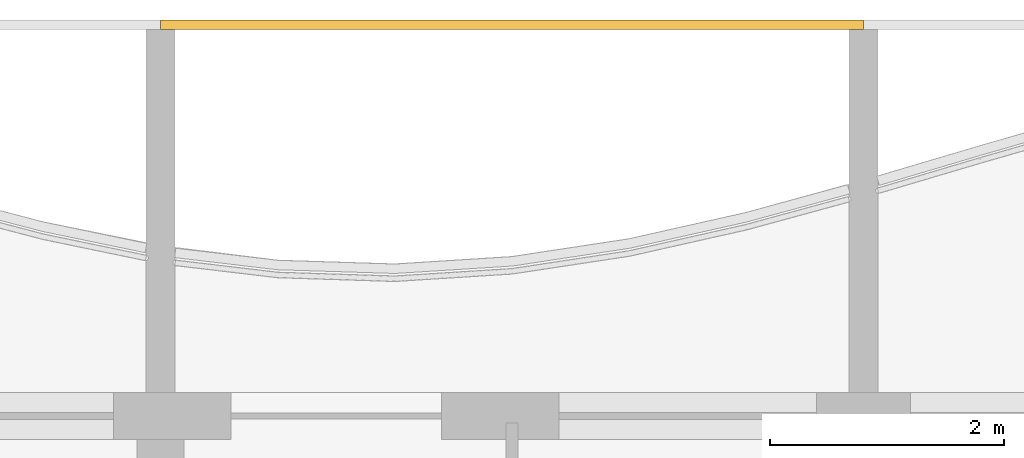
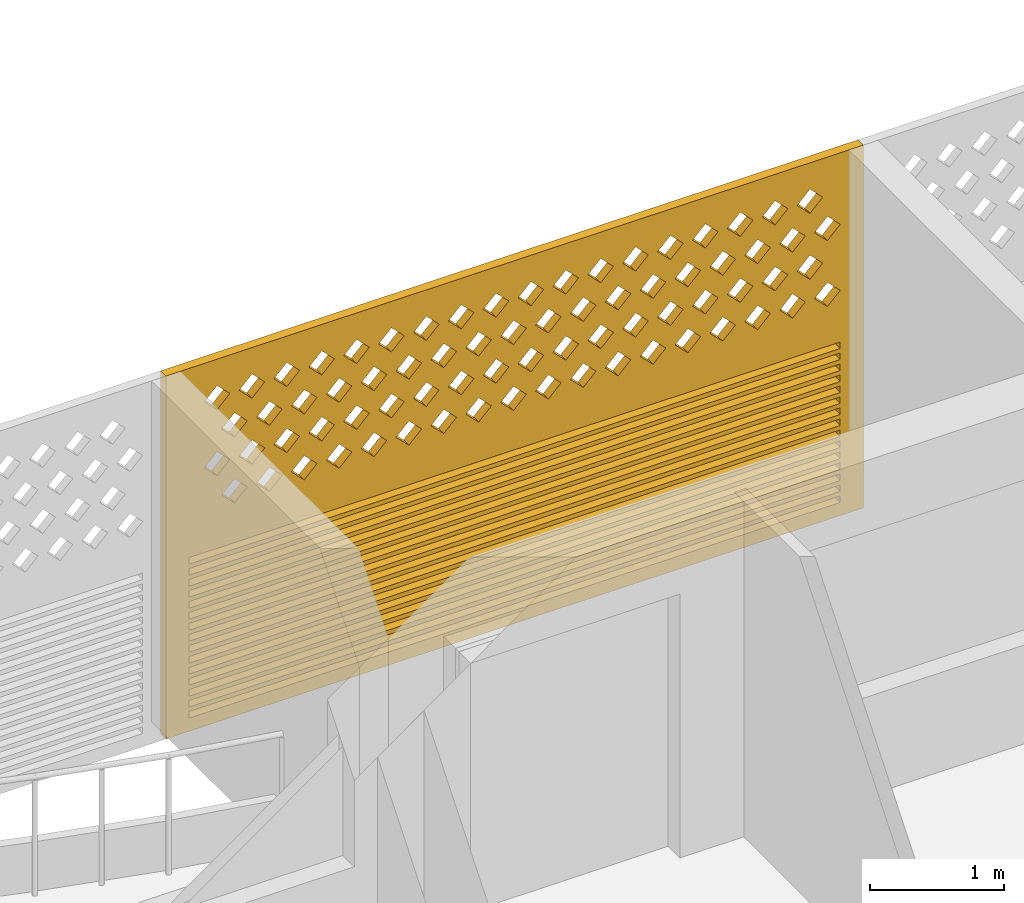
# One storey, part 33 of 44: 1 covering.
"""IFC4 building model written with IfcOpenShell, lengths in metres."""

from ifc_helpers import new_model, si_unit, direction, frame, origin, place, context, subcontext, project, spatial, polyline, outline, extrude, source, transform, mapped, material, material_profile, profile_set, type_object, element, save


model = new_model("IFC4")

# Units and contexts
model_context = context("Model", 3, precision=1e-05, world=origin(), true_north=direction((0.0, 1.0)))
body_context = subcontext(model_context, "Body", "Model", "MODEL_VIEW")
ifc_project = project(units=[si_unit("LENGTHUNIT", "METRE"), si_unit("AREAUNIT", "SQUARE_METRE"), si_unit("VOLUMEUNIT", "CUBIC_METRE"), si_unit("PLANEANGLEUNIT", "RADIAN"), si_unit("MASSUNIT", "GRAM", prefix="KILO")], contexts=[model_context])

# Site, building, storey
site_placement = place(None, origin())
site = spatial("IfcSite", under=ifc_project, at=site_placement, CompositionType="ELEMENT")
building_placement = place(site_placement, origin())
building = spatial("IfcBuilding", under=site, at=building_placement, Name="Poui Terraces", CompositionType="ELEMENT")
storey_placement = place(building_placement, frame((0.0, 0.0, 26.699951171875)))
storey = spatial("IfcBuildingStorey", under=building, at=storey_placement, Name="L06", CompositionType="ELEMENT", Elevation=26.699951171875)

# Covering
ifc_material = material(Name="Terracotta screen", Category="masonry")
ifc_material_profile = material_profile(ifc_material, outline(polyline([(-3.0, -1.64990234375), (3.0, -1.64990234375), (3.0, 1.64990234375), (-3.0, 1.64990234375), (-3.0, -1.64990234375)]), holes=[polyline([(-2.800048828125, 0.39990234375), (-2.68994140625, 0.2900390625), (-2.580078125, 0.39990234375), (-2.68994140625, 0.510009765625), (-2.800048828125, 0.39990234375)]), polyline([(-2.5, 0.39990234375), (-2.389892578125, 0.2900390625), (-2.280029296875, 0.39990234375), (-2.389892578125, 0.510009765625), (-2.5, 0.39990234375)]), polyline([(-2.199951171875, 0.39990234375), (-2.090087890625, 0.2900390625), (-1.97998046875, 0.39990234375), (-2.090087890625, 0.510009765625), (-2.199951171875, 0.39990234375)]), polyline([(-1.89990234375, 0.39990234375), (-1.7900390625, 0.2900390625), (-1.679931640625, 0.39990234375), (-1.7900390625, 0.510009765625), (-1.89990234375, 0.39990234375)]), polyline([(-1.60009765625, 0.39990234375), (-1.489990234375, 0.2900390625), (-1.3798828125, 0.39990234375), (-1.489990234375, 0.510009765625), (-1.60009765625, 0.39990234375)]), polyline([(-1.300048828125, 0.39990234375), (-1.18994140625, 0.2900390625), (-1.080078125, 0.39990234375), (-1.18994140625, 0.510009765625), (-1.300048828125, 0.39990234375)]), polyline([(-1.0, 0.39990234375), (-0.889892578125, 0.2900390625), (-0.780029296875, 0.39990234375), (-0.889892578125, 0.510009765625), (-1.0, 0.39990234375)]), polyline([(-0.699951171875, 0.39990234375), (-0.590087890625, 0.2900390625), (-0.47998046875, 0.39990234375), (-0.590087890625, 0.510009765625), (-0.699951171875, 0.39990234375)]), polyline([(-0.39990234375, 0.39990234375), (-0.2900390625, 0.2900390625), (-0.179931640625, 0.39990234375), (-0.2900390625, 0.510009765625), (-0.39990234375, 0.39990234375)]), polyline([(-0.10009765625, 0.39990234375), (0.010009765625, 0.2900390625), (0.1201171875, 0.39990234375), (0.010009765625, 0.510009765625), (-0.10009765625, 0.39990234375)]), polyline([(0.199951171875, 0.39990234375), (0.31005859375, 0.2900390625), (0.419921875, 0.39990234375), (0.31005859375, 0.510009765625), (0.199951171875, 0.39990234375)]), polyline([(0.5, 0.39990234375), (0.610107421875, 0.2900390625), (0.719970703125, 0.39990234375), (0.610107421875, 0.510009765625), (0.5, 0.39990234375)]), polyline([(0.800048828125, 0.39990234375), (0.909912109375, 0.2900390625), (1.02001953125, 0.39990234375), (0.909912109375, 0.510009765625), (0.800048828125, 0.39990234375)]), polyline([(1.10009765625, 0.39990234375), (1.2099609375, 0.2900390625), (1.320068359375, 0.39990234375), (1.2099609375, 0.510009765625), (1.10009765625, 0.39990234375)]), polyline([(1.39990234375, 0.39990234375), (1.510009765625, 0.2900390625), (1.6201171875, 0.39990234375), (1.510009765625, 0.510009765625), (1.39990234375, 0.39990234375)]), polyline([(1.699951171875, 0.39990234375), (1.81005859375, 0.2900390625), (1.919921875, 0.39990234375), (1.81005859375, 0.510009765625), (1.699951171875, 0.39990234375)]), polyline([(2.0, 0.39990234375), (2.110107421875, 0.2900390625), (2.219970703125, 0.39990234375), (2.110107421875, 0.510009765625), (2.0, 0.39990234375)]), polyline([(2.300048828125, 0.39990234375), (2.409912109375, 0.2900390625), (2.52001953125, 0.39990234375), (2.409912109375, 0.510009765625), (2.300048828125, 0.39990234375)]), polyline([(-2.64990234375, 0.699951171875), (-2.5400390625, 0.590087890625), (-2.429931640625, 0.699951171875), (-2.5400390625, 0.81005859375), (-2.64990234375, 0.699951171875)]), polyline([(-2.35009765625, 0.699951171875), (-2.239990234375, 0.590087890625), (-2.1298828125, 0.699951171875), (-2.239990234375, 0.81005859375), (-2.35009765625, 0.699951171875)]), polyline([(-2.050048828125, 0.699951171875), (-1.93994140625, 0.590087890625), (-1.830078125, 0.699951171875), (-1.93994140625, 0.81005859375), (-2.050048828125, 0.699951171875)]), polyline([(-1.75, 0.699951171875), (-1.639892578125, 0.590087890625), (-1.530029296875, 0.699951171875), (-1.639892578125, 0.81005859375), (-1.75, 0.699951171875)]), polyline([(-1.449951171875, 0.699951171875), (-1.340087890625, 0.590087890625), (-1.22998046875, 0.699951171875), (-1.340087890625, 0.81005859375), (-1.449951171875, 0.699951171875)]), polyline([(-1.14990234375, 0.699951171875), (-1.0400390625, 0.590087890625), (-0.929931640625, 0.699951171875), (-1.0400390625, 0.81005859375), (-1.14990234375, 0.699951171875)]), polyline([(-0.85009765625, 0.699951171875), (-0.739990234375, 0.590087890625), (-0.6298828125, 0.699951171875), (-0.739990234375, 0.81005859375), (-0.85009765625, 0.699951171875)]), polyline([(-0.550048828125, 0.699951171875), (-0.43994140625, 0.590087890625), (-0.330078125, 0.699951171875), (-0.43994140625, 0.81005859375), (-0.550048828125, 0.699951171875)]), polyline([(-0.25, 0.699951171875), (-0.139892578125, 0.590087890625), (-0.030029296875, 0.699951171875), (-0.139892578125, 0.81005859375), (-0.25, 0.699951171875)]), polyline([(0.050048828125, 0.699951171875), (0.159912109375, 0.590087890625), (0.27001953125, 0.699951171875), (0.159912109375, 0.81005859375), (0.050048828125, 0.699951171875)]), polyline([(0.35009765625, 0.699951171875), (0.4599609375, 0.590087890625), (0.570068359375, 0.699951171875), (0.4599609375, 0.81005859375), (0.35009765625, 0.699951171875)]), polyline([(0.64990234375, 0.699951171875), (0.760009765625, 0.590087890625), (0.8701171875, 0.699951171875), (0.760009765625, 0.81005859375), (0.64990234375, 0.699951171875)]), polyline([(0.949951171875, 0.699951171875), (1.06005859375, 0.590087890625), (1.169921875, 0.699951171875), (1.06005859375, 0.81005859375), (0.949951171875, 0.699951171875)]), polyline([(1.25, 0.699951171875), (1.360107421875, 0.590087890625), (1.469970703125, 0.699951171875), (1.360107421875, 0.81005859375), (1.25, 0.699951171875)]), polyline([(1.550048828125, 0.699951171875), (1.659912109375, 0.590087890625), (1.77001953125, 0.699951171875), (1.659912109375, 0.81005859375), (1.550048828125, 0.699951171875)]), polyline([(1.85009765625, 0.699951171875), (1.9599609375, 0.590087890625), (2.070068359375, 0.699951171875), (1.9599609375, 0.81005859375), (1.85009765625, 0.699951171875)]), polyline([(2.14990234375, 0.699951171875), (2.260009765625, 0.590087890625), (2.3701171875, 0.699951171875), (2.260009765625, 0.81005859375), (2.14990234375, 0.699951171875)]), polyline([(2.449951171875, 0.699951171875), (2.56005859375, 0.590087890625), (2.669921875, 0.699951171875), (2.56005859375, 0.81005859375), (2.449951171875, 0.699951171875)]), polyline([(-2.800048828125, 1.0), (-2.68994140625, 0.889892578125), (-2.580078125, 1.0), (-2.68994140625, 1.110107421875), (-2.800048828125, 1.0)]), polyline([(-2.5, 1.0), (-2.389892578125, 0.889892578125), (-2.280029296875, 1.0), (-2.389892578125, 1.110107421875), (-2.5, 1.0)]), polyline([(-2.199951171875, 1.0), (-2.090087890625, 0.889892578125), (-1.97998046875, 1.0), (-2.090087890625, 1.110107421875), (-2.199951171875, 1.0)]), polyline([(-1.89990234375, 1.0), (-1.7900390625, 0.889892578125), (-1.679931640625, 1.0), (-1.7900390625, 1.110107421875), (-1.89990234375, 1.0)]), polyline([(-1.60009765625, 1.0), (-1.489990234375, 0.889892578125), (-1.3798828125, 1.0), (-1.489990234375, 1.110107421875), (-1.60009765625, 1.0)]), polyline([(-1.300048828125, 1.0), (-1.18994140625, 0.889892578125), (-1.080078125, 1.0), (-1.18994140625, 1.110107421875), (-1.300048828125, 1.0)]), polyline([(-1.0, 1.0), (-0.889892578125, 0.889892578125), (-0.780029296875, 1.0), (-0.889892578125, 1.110107421875), (-1.0, 1.0)]), polyline([(-0.699951171875, 1.0), (-0.590087890625, 0.889892578125), (-0.47998046875, 1.0), (-0.590087890625, 1.110107421875), (-0.699951171875, 1.0)]), polyline([(-0.39990234375, 1.0), (-0.2900390625, 0.889892578125), (-0.179931640625, 1.0), (-0.2900390625, 1.110107421875), (-0.39990234375, 1.0)]), polyline([(-0.10009765625, 1.0), (0.010009765625, 0.889892578125), (0.1201171875, 1.0), (0.010009765625, 1.110107421875), (-0.10009765625, 1.0)]), polyline([(0.199951171875, 1.0), (0.31005859375, 0.889892578125), (0.419921875, 1.0), (0.31005859375, 1.110107421875), (0.199951171875, 1.0)]), polyline([(0.5, 1.0), (0.610107421875, 0.889892578125), (0.719970703125, 1.0), (0.610107421875, 1.110107421875), (0.5, 1.0)]), polyline([(0.800048828125, 1.0), (0.909912109375, 0.889892578125), (1.02001953125, 1.0), (0.909912109375, 1.110107421875), (0.800048828125, 1.0)]), polyline([(1.10009765625, 1.0), (1.2099609375, 0.889892578125), (1.320068359375, 1.0), (1.2099609375, 1.110107421875), (1.10009765625, 1.0)]), polyline([(1.39990234375, 1.0), (1.510009765625, 0.889892578125), (1.6201171875, 1.0), (1.510009765625, 1.110107421875), (1.39990234375, 1.0)]), polyline([(1.699951171875, 1.0), (1.81005859375, 0.889892578125), (1.919921875, 1.0), (1.81005859375, 1.110107421875), (1.699951171875, 1.0)]), polyline([(2.0, 1.0), (2.110107421875, 0.889892578125), (2.219970703125, 1.0), (2.110107421875, 1.110107421875), (2.0, 1.0)]), polyline([(2.300048828125, 1.0), (2.409912109375, 0.889892578125), (2.52001953125, 1.0), (2.409912109375, 1.110107421875), (2.300048828125, 1.0)]), polyline([(-2.64990234375, 1.300048828125), (-2.5400390625, 1.18994140625), (-2.429931640625, 1.300048828125), (-2.5400390625, 1.409912109375), (-2.64990234375, 1.300048828125)]), polyline([(-2.35009765625, 1.300048828125), (-2.239990234375, 1.18994140625), (-2.1298828125, 1.300048828125), (-2.239990234375, 1.409912109375), (-2.35009765625, 1.300048828125)]), polyline([(-2.050048828125, 1.300048828125), (-1.93994140625, 1.18994140625), (-1.830078125, 1.300048828125), (-1.93994140625, 1.409912109375), (-2.050048828125, 1.300048828125)]), polyline([(-1.75, 1.300048828125), (-1.639892578125, 1.18994140625), (-1.530029296875, 1.300048828125), (-1.639892578125, 1.409912109375), (-1.75, 1.300048828125)]), polyline([(-1.449951171875, 1.300048828125), (-1.340087890625, 1.18994140625), (-1.22998046875, 1.300048828125), (-1.340087890625, 1.409912109375), (-1.449951171875, 1.300048828125)]), polyline([(-1.14990234375, 1.300048828125), (-1.0400390625, 1.18994140625), (-0.929931640625, 1.300048828125), (-1.0400390625, 1.409912109375), (-1.14990234375, 1.300048828125)]), polyline([(-0.85009765625, 1.300048828125), (-0.739990234375, 1.18994140625), (-0.6298828125, 1.300048828125), (-0.739990234375, 1.409912109375), (-0.85009765625, 1.300048828125)]), polyline([(-0.550048828125, 1.300048828125), (-0.43994140625, 1.18994140625), (-0.330078125, 1.300048828125), (-0.43994140625, 1.409912109375), (-0.550048828125, 1.300048828125)]), polyline([(-0.25, 1.300048828125), (-0.139892578125, 1.18994140625), (-0.030029296875, 1.300048828125), (-0.139892578125, 1.409912109375), (-0.25, 1.300048828125)]), polyline([(0.050048828125, 1.300048828125), (0.159912109375, 1.18994140625), (0.27001953125, 1.300048828125), (0.159912109375, 1.409912109375), (0.050048828125, 1.300048828125)]), polyline([(0.35009765625, 1.300048828125), (0.4599609375, 1.18994140625), (0.570068359375, 1.300048828125), (0.4599609375, 1.409912109375), (0.35009765625, 1.300048828125)]), polyline([(0.64990234375, 1.300048828125), (0.760009765625, 1.18994140625), (0.8701171875, 1.300048828125), (0.760009765625, 1.409912109375), (0.64990234375, 1.300048828125)]), polyline([(0.949951171875, 1.300048828125), (1.06005859375, 1.18994140625), (1.169921875, 1.300048828125), (1.06005859375, 1.409912109375), (0.949951171875, 1.300048828125)]), polyline([(1.25, 1.300048828125), (1.360107421875, 1.18994140625), (1.469970703125, 1.300048828125), (1.360107421875, 1.409912109375), (1.25, 1.300048828125)]), polyline([(1.550048828125, 1.300048828125), (1.659912109375, 1.18994140625), (1.77001953125, 1.300048828125), (1.659912109375, 1.409912109375), (1.550048828125, 1.300048828125)]), polyline([(1.85009765625, 1.300048828125), (1.9599609375, 1.18994140625), (2.070068359375, 1.300048828125), (1.9599609375, 1.409912109375), (1.85009765625, 1.300048828125)]), polyline([(2.14990234375, 1.300048828125), (2.260009765625, 1.18994140625), (2.3701171875, 1.300048828125), (2.260009765625, 1.409912109375), (2.14990234375, 1.300048828125)]), polyline([(2.449951171875, 1.300048828125), (2.56005859375, 1.18994140625), (2.669921875, 1.300048828125), (2.56005859375, 1.409912109375), (2.449951171875, 1.300048828125)]), polyline([(-2.800048828125, -1.530029296875), (2.800048828125, -1.530029296875), (2.800048828125, -1.469970703125), (-2.800048828125, -1.469970703125), (-2.800048828125, -1.530029296875)]), polyline([(-2.800048828125, -1.429931640625), (2.800048828125, -1.429931640625), (2.800048828125, -1.3701171875), (-2.800048828125, -1.3701171875), (-2.800048828125, -1.429931640625)]), polyline([(-2.800048828125, -1.330078125), (2.800048828125, -1.330078125), (2.800048828125, -1.27001953125), (-2.800048828125, -1.27001953125), (-2.800048828125, -1.330078125)]), polyline([(-2.800048828125, -1.22998046875), (2.800048828125, -1.22998046875), (2.800048828125, -1.169921875), (-2.800048828125, -1.169921875), (-2.800048828125, -1.22998046875)]), polyline([(-2.800048828125, -1.1298828125), (2.800048828125, -1.1298828125), (2.800048828125, -1.070068359375), (-2.800048828125, -1.070068359375), (-2.800048828125, -1.1298828125)]), polyline([(-2.800048828125, -1.030029296875), (2.800048828125, -1.030029296875), (2.800048828125, -0.969970703125), (-2.800048828125, -0.969970703125), (-2.800048828125, -1.030029296875)]), polyline([(-2.800048828125, -0.929931640625), (2.800048828125, -0.929931640625), (2.800048828125, -0.8701171875), (-2.800048828125, -0.8701171875), (-2.800048828125, -0.929931640625)]), polyline([(-2.800048828125, -0.830078125), (2.800048828125, -0.830078125), (2.800048828125, -0.77001953125), (-2.800048828125, -0.77001953125), (-2.800048828125, -0.830078125)]), polyline([(-2.800048828125, -0.72998046875), (2.800048828125, -0.72998046875), (2.800048828125, -0.669921875), (-2.800048828125, -0.669921875), (-2.800048828125, -0.72998046875)]), polyline([(-2.800048828125, -0.6298828125), (2.800048828125, -0.6298828125), (2.800048828125, -0.570068359375), (-2.800048828125, -0.570068359375), (-2.800048828125, -0.6298828125)]), polyline([(-2.800048828125, -0.530029296875), (2.800048828125, -0.530029296875), (2.800048828125, -0.469970703125), (-2.800048828125, -0.469970703125), (-2.800048828125, -0.530029296875)]), polyline([(-2.800048828125, -0.429931640625), (2.800048828125, -0.429931640625), (2.800048828125, -0.3701171875), (-2.800048828125, -0.3701171875), (-2.800048828125, -0.429931640625)]), polyline([(-2.800048828125, -0.330078125), (2.800048828125, -0.330078125), (2.800048828125, -0.27001953125), (-2.800048828125, -0.27001953125), (-2.800048828125, -0.330078125)]), polyline([(-2.800048828125, -0.22998046875), (2.800048828125, -0.22998046875), (2.800048828125, -0.169921875), (-2.800048828125, -0.169921875), (-2.800048828125, -0.22998046875)]), polyline([(-2.800048828125, -0.1298828125), (2.800048828125, -0.1298828125), (2.800048828125, -0.070068359375), (-2.800048828125, -0.070068359375), (-2.800048828125, -0.1298828125)])]), Name="TERRACOTTA SCREEN AND JALOUSIE LOUVRE 6000X3300")
ifc_profile_set = profile_set([ifc_material_profile], Name="Terracotta screen")
covering_type = type_object("IfcCoveringType", Name="TERRACOTTA SCREEN AND JALOUSIE LOUVRE 6000X3300", PredefinedType="CLADDING", material=ifc_profile_set)
shared_shape = source(origin(), body_context, "Body", "SweptSolid", [
    extrude(outline(polyline([(-3.0, -1.64990234375), (3.0, -1.64990234375), (3.0, 1.64990234375), (-3.0, 1.64990234375), (-3.0, -1.64990234375)]), holes=[polyline([(-2.800048828125, 0.39990234375), (-2.68994140625, 0.2900390625), (-2.580078125, 0.39990234375), (-2.68994140625, 0.510009765625), (-2.800048828125, 0.39990234375)]), polyline([(-2.5, 0.39990234375), (-2.389892578125, 0.2900390625), (-2.280029296875, 0.39990234375), (-2.389892578125, 0.510009765625), (-2.5, 0.39990234375)]), polyline([(-2.199951171875, 0.39990234375), (-2.090087890625, 0.2900390625), (-1.97998046875, 0.39990234375), (-2.090087890625, 0.510009765625), (-2.199951171875, 0.39990234375)]), polyline([(-1.89990234375, 0.39990234375), (-1.7900390625, 0.2900390625), (-1.679931640625, 0.39990234375), (-1.7900390625, 0.510009765625), (-1.89990234375, 0.39990234375)]), polyline([(-1.60009765625, 0.39990234375), (-1.489990234375, 0.2900390625), (-1.3798828125, 0.39990234375), (-1.489990234375, 0.510009765625), (-1.60009765625, 0.39990234375)]), polyline([(-1.300048828125, 0.39990234375), (-1.18994140625, 0.2900390625), (-1.080078125, 0.39990234375), (-1.18994140625, 0.510009765625), (-1.300048828125, 0.39990234375)]), polyline([(-1.0, 0.39990234375), (-0.889892578125, 0.2900390625), (-0.780029296875, 0.39990234375), (-0.889892578125, 0.510009765625), (-1.0, 0.39990234375)]), polyline([(-0.699951171875, 0.39990234375), (-0.590087890625, 0.2900390625), (-0.47998046875, 0.39990234375), (-0.590087890625, 0.510009765625), (-0.699951171875, 0.39990234375)]), polyline([(-0.39990234375, 0.39990234375), (-0.2900390625, 0.2900390625), (-0.179931640625, 0.39990234375), (-0.2900390625, 0.510009765625), (-0.39990234375, 0.39990234375)]), polyline([(-0.10009765625, 0.39990234375), (0.010009765625, 0.2900390625), (0.1201171875, 0.39990234375), (0.010009765625, 0.510009765625), (-0.10009765625, 0.39990234375)]), polyline([(0.199951171875, 0.39990234375), (0.31005859375, 0.2900390625), (0.419921875, 0.39990234375), (0.31005859375, 0.510009765625), (0.199951171875, 0.39990234375)]), polyline([(0.5, 0.39990234375), (0.610107421875, 0.2900390625), (0.719970703125, 0.39990234375), (0.610107421875, 0.510009765625), (0.5, 0.39990234375)]), polyline([(0.800048828125, 0.39990234375), (0.909912109375, 0.2900390625), (1.02001953125, 0.39990234375), (0.909912109375, 0.510009765625), (0.800048828125, 0.39990234375)]), polyline([(1.10009765625, 0.39990234375), (1.2099609375, 0.2900390625), (1.320068359375, 0.39990234375), (1.2099609375, 0.510009765625), (1.10009765625, 0.39990234375)]), polyline([(1.39990234375, 0.39990234375), (1.510009765625, 0.2900390625), (1.6201171875, 0.39990234375), (1.510009765625, 0.510009765625), (1.39990234375, 0.39990234375)]), polyline([(1.699951171875, 0.39990234375), (1.81005859375, 0.2900390625), (1.919921875, 0.39990234375), (1.81005859375, 0.510009765625), (1.699951171875, 0.39990234375)]), polyline([(2.0, 0.39990234375), (2.110107421875, 0.2900390625), (2.219970703125, 0.39990234375), (2.110107421875, 0.510009765625), (2.0, 0.39990234375)]), polyline([(2.300048828125, 0.39990234375), (2.409912109375, 0.2900390625), (2.52001953125, 0.39990234375), (2.409912109375, 0.510009765625), (2.300048828125, 0.39990234375)]), polyline([(-2.64990234375, 0.699951171875), (-2.5400390625, 0.590087890625), (-2.429931640625, 0.699951171875), (-2.5400390625, 0.81005859375), (-2.64990234375, 0.699951171875)]), polyline([(-2.35009765625, 0.699951171875), (-2.239990234375, 0.590087890625), (-2.1298828125, 0.699951171875), (-2.239990234375, 0.81005859375), (-2.35009765625, 0.699951171875)]), polyline([(-2.050048828125, 0.699951171875), (-1.93994140625, 0.590087890625), (-1.830078125, 0.699951171875), (-1.93994140625, 0.81005859375), (-2.050048828125, 0.699951171875)]), polyline([(-1.75, 0.699951171875), (-1.639892578125, 0.590087890625), (-1.530029296875, 0.699951171875), (-1.639892578125, 0.81005859375), (-1.75, 0.699951171875)]), polyline([(-1.449951171875, 0.699951171875), (-1.340087890625, 0.590087890625), (-1.22998046875, 0.699951171875), (-1.340087890625, 0.81005859375), (-1.449951171875, 0.699951171875)]), polyline([(-1.14990234375, 0.699951171875), (-1.0400390625, 0.590087890625), (-0.929931640625, 0.699951171875), (-1.0400390625, 0.81005859375), (-1.14990234375, 0.699951171875)]), polyline([(-0.85009765625, 0.699951171875), (-0.739990234375, 0.590087890625), (-0.6298828125, 0.699951171875), (-0.739990234375, 0.81005859375), (-0.85009765625, 0.699951171875)]), polyline([(-0.550048828125, 0.699951171875), (-0.43994140625, 0.590087890625), (-0.330078125, 0.699951171875), (-0.43994140625, 0.81005859375), (-0.550048828125, 0.699951171875)]), polyline([(-0.25, 0.699951171875), (-0.139892578125, 0.590087890625), (-0.030029296875, 0.699951171875), (-0.139892578125, 0.81005859375), (-0.25, 0.699951171875)]), polyline([(0.050048828125, 0.699951171875), (0.159912109375, 0.590087890625), (0.27001953125, 0.699951171875), (0.159912109375, 0.81005859375), (0.050048828125, 0.699951171875)]), polyline([(0.35009765625, 0.699951171875), (0.4599609375, 0.590087890625), (0.570068359375, 0.699951171875), (0.4599609375, 0.81005859375), (0.35009765625, 0.699951171875)]), polyline([(0.64990234375, 0.699951171875), (0.760009765625, 0.590087890625), (0.8701171875, 0.699951171875), (0.760009765625, 0.81005859375), (0.64990234375, 0.699951171875)]), polyline([(0.949951171875, 0.699951171875), (1.06005859375, 0.590087890625), (1.169921875, 0.699951171875), (1.06005859375, 0.81005859375), (0.949951171875, 0.699951171875)]), polyline([(1.25, 0.699951171875), (1.360107421875, 0.590087890625), (1.469970703125, 0.699951171875), (1.360107421875, 0.81005859375), (1.25, 0.699951171875)]), polyline([(1.550048828125, 0.699951171875), (1.659912109375, 0.590087890625), (1.77001953125, 0.699951171875), (1.659912109375, 0.81005859375), (1.550048828125, 0.699951171875)]), polyline([(1.85009765625, 0.699951171875), (1.9599609375, 0.590087890625), (2.070068359375, 0.699951171875), (1.9599609375, 0.81005859375), (1.85009765625, 0.699951171875)]), polyline([(2.14990234375, 0.699951171875), (2.260009765625, 0.590087890625), (2.3701171875, 0.699951171875), (2.260009765625, 0.81005859375), (2.14990234375, 0.699951171875)]), polyline([(2.449951171875, 0.699951171875), (2.56005859375, 0.590087890625), (2.669921875, 0.699951171875), (2.56005859375, 0.81005859375), (2.449951171875, 0.699951171875)]), polyline([(-2.800048828125, 1.0), (-2.68994140625, 0.889892578125), (-2.580078125, 1.0), (-2.68994140625, 1.110107421875), (-2.800048828125, 1.0)]), polyline([(-2.5, 1.0), (-2.389892578125, 0.889892578125), (-2.280029296875, 1.0), (-2.389892578125, 1.110107421875), (-2.5, 1.0)]), polyline([(-2.199951171875, 1.0), (-2.090087890625, 0.889892578125), (-1.97998046875, 1.0), (-2.090087890625, 1.110107421875), (-2.199951171875, 1.0)]), polyline([(-1.89990234375, 1.0), (-1.7900390625, 0.889892578125), (-1.679931640625, 1.0), (-1.7900390625, 1.110107421875), (-1.89990234375, 1.0)]), polyline([(-1.60009765625, 1.0), (-1.489990234375, 0.889892578125), (-1.3798828125, 1.0), (-1.489990234375, 1.110107421875), (-1.60009765625, 1.0)]), polyline([(-1.300048828125, 1.0), (-1.18994140625, 0.889892578125), (-1.080078125, 1.0), (-1.18994140625, 1.110107421875), (-1.300048828125, 1.0)]), polyline([(-1.0, 1.0), (-0.889892578125, 0.889892578125), (-0.780029296875, 1.0), (-0.889892578125, 1.110107421875), (-1.0, 1.0)]), polyline([(-0.699951171875, 1.0), (-0.590087890625, 0.889892578125), (-0.47998046875, 1.0), (-0.590087890625, 1.110107421875), (-0.699951171875, 1.0)]), polyline([(-0.39990234375, 1.0), (-0.2900390625, 0.889892578125), (-0.179931640625, 1.0), (-0.2900390625, 1.110107421875), (-0.39990234375, 1.0)]), polyline([(-0.10009765625, 1.0), (0.010009765625, 0.889892578125), (0.1201171875, 1.0), (0.010009765625, 1.110107421875), (-0.10009765625, 1.0)]), polyline([(0.199951171875, 1.0), (0.31005859375, 0.889892578125), (0.419921875, 1.0), (0.31005859375, 1.110107421875), (0.199951171875, 1.0)]), polyline([(0.5, 1.0), (0.610107421875, 0.889892578125), (0.719970703125, 1.0), (0.610107421875, 1.110107421875), (0.5, 1.0)]), polyline([(0.800048828125, 1.0), (0.909912109375, 0.889892578125), (1.02001953125, 1.0), (0.909912109375, 1.110107421875), (0.800048828125, 1.0)]), polyline([(1.10009765625, 1.0), (1.2099609375, 0.889892578125), (1.320068359375, 1.0), (1.2099609375, 1.110107421875), (1.10009765625, 1.0)]), polyline([(1.39990234375, 1.0), (1.510009765625, 0.889892578125), (1.6201171875, 1.0), (1.510009765625, 1.110107421875), (1.39990234375, 1.0)]), polyline([(1.699951171875, 1.0), (1.81005859375, 0.889892578125), (1.919921875, 1.0), (1.81005859375, 1.110107421875), (1.699951171875, 1.0)]), polyline([(2.0, 1.0), (2.110107421875, 0.889892578125), (2.219970703125, 1.0), (2.110107421875, 1.110107421875), (2.0, 1.0)]), polyline([(2.300048828125, 1.0), (2.409912109375, 0.889892578125), (2.52001953125, 1.0), (2.409912109375, 1.110107421875), (2.300048828125, 1.0)]), polyline([(-2.64990234375, 1.300048828125), (-2.5400390625, 1.18994140625), (-2.429931640625, 1.300048828125), (-2.5400390625, 1.409912109375), (-2.64990234375, 1.300048828125)]), polyline([(-2.35009765625, 1.300048828125), (-2.239990234375, 1.18994140625), (-2.1298828125, 1.300048828125), (-2.239990234375, 1.409912109375), (-2.35009765625, 1.300048828125)]), polyline([(-2.050048828125, 1.300048828125), (-1.93994140625, 1.18994140625), (-1.830078125, 1.300048828125), (-1.93994140625, 1.409912109375), (-2.050048828125, 1.300048828125)]), polyline([(-1.75, 1.300048828125), (-1.639892578125, 1.18994140625), (-1.530029296875, 1.300048828125), (-1.639892578125, 1.409912109375), (-1.75, 1.300048828125)]), polyline([(-1.449951171875, 1.300048828125), (-1.340087890625, 1.18994140625), (-1.22998046875, 1.300048828125), (-1.340087890625, 1.409912109375), (-1.449951171875, 1.300048828125)]), polyline([(-1.14990234375, 1.300048828125), (-1.0400390625, 1.18994140625), (-0.929931640625, 1.300048828125), (-1.0400390625, 1.409912109375), (-1.14990234375, 1.300048828125)]), polyline([(-0.85009765625, 1.300048828125), (-0.739990234375, 1.18994140625), (-0.6298828125, 1.300048828125), (-0.739990234375, 1.409912109375), (-0.85009765625, 1.300048828125)]), polyline([(-0.550048828125, 1.300048828125), (-0.43994140625, 1.18994140625), (-0.330078125, 1.300048828125), (-0.43994140625, 1.409912109375), (-0.550048828125, 1.300048828125)]), polyline([(-0.25, 1.300048828125), (-0.139892578125, 1.18994140625), (-0.030029296875, 1.300048828125), (-0.139892578125, 1.409912109375), (-0.25, 1.300048828125)]), polyline([(0.050048828125, 1.300048828125), (0.159912109375, 1.18994140625), (0.27001953125, 1.300048828125), (0.159912109375, 1.409912109375), (0.050048828125, 1.300048828125)]), polyline([(0.35009765625, 1.300048828125), (0.4599609375, 1.18994140625), (0.570068359375, 1.300048828125), (0.4599609375, 1.409912109375), (0.35009765625, 1.300048828125)]), polyline([(0.64990234375, 1.300048828125), (0.760009765625, 1.18994140625), (0.8701171875, 1.300048828125), (0.760009765625, 1.409912109375), (0.64990234375, 1.300048828125)]), polyline([(0.949951171875, 1.300048828125), (1.06005859375, 1.18994140625), (1.169921875, 1.300048828125), (1.06005859375, 1.409912109375), (0.949951171875, 1.300048828125)]), polyline([(1.25, 1.300048828125), (1.360107421875, 1.18994140625), (1.469970703125, 1.300048828125), (1.360107421875, 1.409912109375), (1.25, 1.300048828125)]), polyline([(1.550048828125, 1.300048828125), (1.659912109375, 1.18994140625), (1.77001953125, 1.300048828125), (1.659912109375, 1.409912109375), (1.550048828125, 1.300048828125)]), polyline([(1.85009765625, 1.300048828125), (1.9599609375, 1.18994140625), (2.070068359375, 1.300048828125), (1.9599609375, 1.409912109375), (1.85009765625, 1.300048828125)]), polyline([(2.14990234375, 1.300048828125), (2.260009765625, 1.18994140625), (2.3701171875, 1.300048828125), (2.260009765625, 1.409912109375), (2.14990234375, 1.300048828125)]), polyline([(2.449951171875, 1.300048828125), (2.56005859375, 1.18994140625), (2.669921875, 1.300048828125), (2.56005859375, 1.409912109375), (2.449951171875, 1.300048828125)]), polyline([(-2.800048828125, -1.530029296875), (2.800048828125, -1.530029296875), (2.800048828125, -1.469970703125), (-2.800048828125, -1.469970703125), (-2.800048828125, -1.530029296875)]), polyline([(-2.800048828125, -1.429931640625), (2.800048828125, -1.429931640625), (2.800048828125, -1.3701171875), (-2.800048828125, -1.3701171875), (-2.800048828125, -1.429931640625)]), polyline([(-2.800048828125, -1.330078125), (2.800048828125, -1.330078125), (2.800048828125, -1.27001953125), (-2.800048828125, -1.27001953125), (-2.800048828125, -1.330078125)]), polyline([(-2.800048828125, -1.22998046875), (2.800048828125, -1.22998046875), (2.800048828125, -1.169921875), (-2.800048828125, -1.169921875), (-2.800048828125, -1.22998046875)]), polyline([(-2.800048828125, -1.1298828125), (2.800048828125, -1.1298828125), (2.800048828125, -1.070068359375), (-2.800048828125, -1.070068359375), (-2.800048828125, -1.1298828125)]), polyline([(-2.800048828125, -1.030029296875), (2.800048828125, -1.030029296875), (2.800048828125, -0.969970703125), (-2.800048828125, -0.969970703125), (-2.800048828125, -1.030029296875)]), polyline([(-2.800048828125, -0.929931640625), (2.800048828125, -0.929931640625), (2.800048828125, -0.8701171875), (-2.800048828125, -0.8701171875), (-2.800048828125, -0.929931640625)]), polyline([(-2.800048828125, -0.830078125), (2.800048828125, -0.830078125), (2.800048828125, -0.77001953125), (-2.800048828125, -0.77001953125), (-2.800048828125, -0.830078125)]), polyline([(-2.800048828125, -0.72998046875), (2.800048828125, -0.72998046875), (2.800048828125, -0.669921875), (-2.800048828125, -0.669921875), (-2.800048828125, -0.72998046875)]), polyline([(-2.800048828125, -0.6298828125), (2.800048828125, -0.6298828125), (2.800048828125, -0.570068359375), (-2.800048828125, -0.570068359375), (-2.800048828125, -0.6298828125)]), polyline([(-2.800048828125, -0.530029296875), (2.800048828125, -0.530029296875), (2.800048828125, -0.469970703125), (-2.800048828125, -0.469970703125), (-2.800048828125, -0.530029296875)]), polyline([(-2.800048828125, -0.429931640625), (2.800048828125, -0.429931640625), (2.800048828125, -0.3701171875), (-2.800048828125, -0.3701171875), (-2.800048828125, -0.429931640625)]), polyline([(-2.800048828125, -0.330078125), (2.800048828125, -0.330078125), (2.800048828125, -0.27001953125), (-2.800048828125, -0.27001953125), (-2.800048828125, -0.330078125)]), polyline([(-2.800048828125, -0.22998046875), (2.800048828125, -0.22998046875), (2.800048828125, -0.169921875), (-2.800048828125, -0.169921875), (-2.800048828125, -0.22998046875)]), polyline([(-2.800048828125, -0.1298828125), (2.800048828125, -0.1298828125), (2.800048828125, -0.070068359375), (-2.800048828125, -0.070068359375), (-2.800048828125, -0.1298828125)])]), origin(), (0.0, 0.0, 1.0), 0.079833984375),
])
covering_placement = place(storey_placement, frame((51.0, 48.10009765625, 1.449951171875), z_axis=(0.0, 1.0, 0.0), x_axis=(-1.0, 0.0, 0.0)))
element("IfcCovering", 1, at=covering_placement, inside=storey, type_object=covering_type, Name="SOLAR SCREEN AND JALOUSIE LOUVRE", PredefinedType="CLADDING", context=body_context, shape_type="MappedRepresentation", body=[
    mapped(shared_shape, transform((0.0, 0.0, 0.0))),
])

save(model, "model.ifc")
